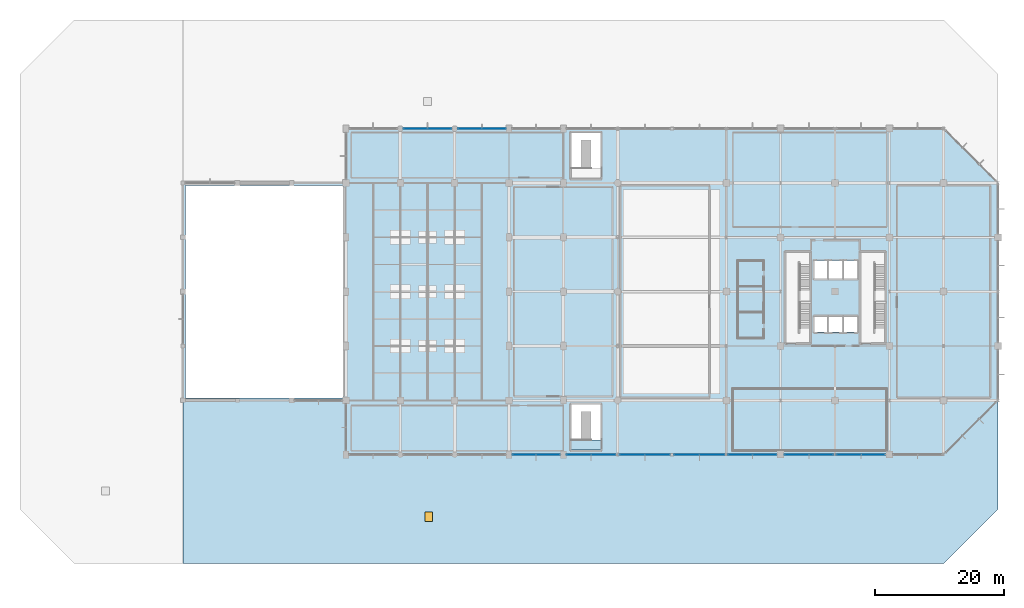
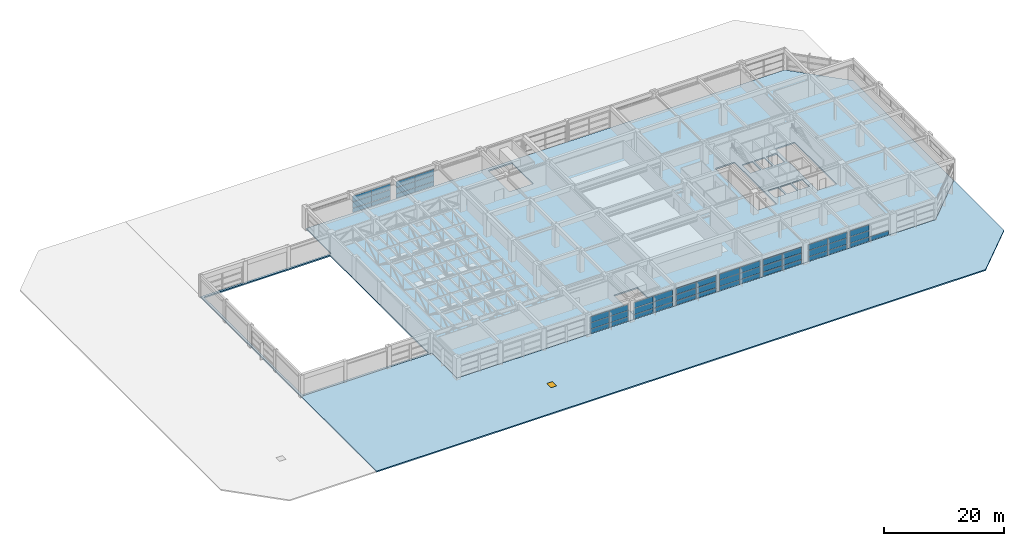
# One storey, part 37 of 47: 52 plates, 3 slabs, 1 door, 1 opening, 9 elements without a shape of their own.
"""IFC4 building model written with IfcOpenShell, lengths in metres."""

from ifc_helpers import new_model, si_unit, direction, frame, origin, origin_2d, place, context, subcontext, project, spatial, polyline, rectangle, outline, extrude, material, layer, layer_set, type_object, element, fill, aggregate, save


model = new_model("IFC4")

# Units and contexts
model_context = context("Model", 3, precision=1e-05, world=origin(), true_north=direction((0.0, 1.0)))
body_context = subcontext(model_context, "Body", "Model", "MODEL_VIEW")
ifc_project = project(units=[si_unit("LENGTHUNIT", "METRE"), si_unit("AREAUNIT", "SQUARE_METRE"), si_unit("VOLUMEUNIT", "CUBIC_METRE"), si_unit("PLANEANGLEUNIT", "RADIAN"), si_unit("MASSUNIT", "GRAM", prefix="KILO")], contexts=[model_context])

# Site, building, storey
site_placement = place(None, origin())
site = spatial("IfcSite", under=ifc_project, at=site_placement, CompositionType="ELEMENT")
building_placement = place(site_placement, origin())
building = spatial("IfcBuilding", under=site, at=building_placement, Name="Xuanlan Plaza Opera House", CompositionType="ELEMENT")
storey_placement = place(building_placement, frame((0.0, 0.0, 23.39990234375)))
storey = spatial("IfcBuildingStorey", under=building, at=storey_placement, Name="L05", CompositionType="ELEMENT", Elevation=23.39990234375)

# Curtain wall, plates
ifc_material_1 = material(Name="Anodised Aluminium 6063-T6 and Low-E Glass", Category="aluminium")
curtain_wall_type_1 = type_object("IfcCurtainWallType", Name="ENV-CW-CW-05", PredefinedType="USERDEFINED", material=ifc_material_1)
curtain_wall_1_placement = place(storey_placement, origin())
curtain_wall_1 = element("IfcCurtainWall", 1, at=curtain_wall_1_placement, inside=storey, type_object=curtain_wall_type_1, Name="Acoustic Glazed Wall L05-008", ObjectType="ACOUSTIC GLAZED WALL", PredefinedType="USERDEFINED")
ifc_material_2 = material(Name="Laminated Acoustic Double Glazing", Category="glass")
ifc_layer_1 = layer(ifc_material_2, 0.028076171875)
ifc_layer_set_1 = layer_set([ifc_layer_1], Name="Laminated Acoustic Double Glazing")
plate_type_1 = type_object("IfcPlateType", Name="ENV-CWP-01", PredefinedType="CURTAIN_PANEL", material=ifc_layer_set_1)
plate_1_placement = place(storey_placement, frame((94.757568359375, 33.60009765625, 0.0751953125), z_axis=(0.0, 0.0, 1.0), x_axis=(1.0, 0.0, 0.0)))
plate_1 = element("IfcPlate", 2, at=plate_1_placement, type_object=plate_type_1, Name="CW-05 panel 1.1", PredefinedType="CURTAIN_PANEL", context=body_context, shape_type="SweptSolid", body=[
    extrude(rectangle(XDim=3.594970703125, YDim=0.028076171875, at=origin_2d()), origin(), (0.0, 0.0, 1.0), 0.83740234375),
])
plate_2_placement = place(storey_placement, frame((94.757568359375, 33.60009765625, 0.987548828125), z_axis=(0.0, 0.0, 1.0), x_axis=(1.0, 0.0, 0.0)))
plate_2 = element("IfcPlate", 3, at=plate_2_placement, type_object=plate_type_1, Name="CW-05 panel 1.2", PredefinedType="CURTAIN_PANEL", context=body_context, shape_type="SweptSolid", body=[
    extrude(rectangle(XDim=3.594970703125, YDim=0.028076171875, at=origin_2d()), origin(), (0.0, 0.0, 1.0), 1.22509765625),
])
plate_3_placement = place(storey_placement, frame((94.757568359375, 33.60009765625, 2.28759765625), z_axis=(0.0, 0.0, 1.0), x_axis=(1.0, 0.0, 0.0)))
plate_3 = element("IfcPlate", 4, at=plate_3_placement, type_object=plate_type_1, Name="CW-05 panel 1.3", PredefinedType="CURTAIN_PANEL", context=body_context, shape_type="SweptSolid", body=[
    extrude(rectangle(XDim=3.594970703125, YDim=0.028076171875, at=origin_2d()), origin(), (0.0, 0.0, 1.0), 1.177490234375),
])
plate_4_placement = place(storey_placement, frame((98.4423828125, 33.60009765625, 0.0751953125), z_axis=(0.0, 0.0, 1.0), x_axis=(1.0, 0.0, 0.0)))
plate_4 = element("IfcPlate", 5, at=plate_4_placement, type_object=plate_type_1, Name="CW-05 panel 2.1", PredefinedType="CURTAIN_PANEL", context=body_context, shape_type="SweptSolid", body=[
    extrude(rectangle(XDim=3.594970703125, YDim=0.028076171875, at=origin_2d()), origin(), (0.0, 0.0, 1.0), 0.83740234375),
])
plate_5_placement = place(storey_placement, frame((98.4423828125, 33.60009765625, 0.987548828125), z_axis=(0.0, 0.0, 1.0), x_axis=(1.0, 0.0, 0.0)))
plate_5 = element("IfcPlate", 6, at=plate_5_placement, type_object=plate_type_1, Name="CW-05 panel 2.2", PredefinedType="CURTAIN_PANEL", context=body_context, shape_type="SweptSolid", body=[
    extrude(rectangle(XDim=3.594970703125, YDim=0.028076171875, at=origin_2d()), origin(), (0.0, 0.0, 1.0), 1.22509765625),
])
plate_6_placement = place(storey_placement, frame((98.4423828125, 33.60009765625, 2.28759765625), z_axis=(0.0, 0.0, 1.0), x_axis=(1.0, 0.0, 0.0)))
plate_6 = element("IfcPlate", 7, at=plate_6_placement, type_object=plate_type_1, Name="CW-05 panel 2.3", PredefinedType="CURTAIN_PANEL", context=body_context, shape_type="SweptSolid", body=[
    extrude(rectangle(XDim=3.594970703125, YDim=0.028076171875, at=origin_2d()), origin(), (0.0, 0.0, 1.0), 1.177490234375),
])
aggregate(curtain_wall_1, [plate_1, plate_2, plate_3, plate_4, plate_5, plate_6])

curtain_wall_type_2 = type_object("IfcCurtainWallType", Name="ENV-CW-CW-04", PredefinedType="USERDEFINED", material=ifc_material_1)
curtain_wall_2_placement = place(storey_placement, origin())
curtain_wall_2 = element("IfcCurtainWall", 8, at=curtain_wall_2_placement, inside=storey, type_object=curtain_wall_type_2, Name="Unitised Curtain Wall L05-013", ObjectType="UNITISED CURTAIN WALL", PredefinedType="USERDEFINED")
plate_7_placement = place(storey_placement, frame((136.89501953125, 33.60009765625, 0.0751953125), z_axis=(0.0, 0.0, 1.0), x_axis=(1.0, 0.0, 0.0)))
plate_7 = element("IfcPlate", 9, at=plate_7_placement, type_object=plate_type_1, Name="CW-04 panel 1.1", PredefinedType="CURTAIN_PANEL", context=body_context, shape_type="SweptSolid", body=[
    extrude(rectangle(XDim=3.669921875, YDim=0.028076171875, at=origin_2d()), origin(), (0.0, 0.0, 1.0), 0.83740234375),
])
plate_8_placement = place(storey_placement, frame((136.89501953125, 33.60009765625, 0.987548828125), z_axis=(0.0, 0.0, 1.0), x_axis=(1.0, 0.0, 0.0)))
plate_8 = element("IfcPlate", 10, at=plate_8_placement, type_object=plate_type_1, Name="CW-04 panel 1.2", PredefinedType="CURTAIN_PANEL", context=body_context, shape_type="SweptSolid", body=[
    extrude(rectangle(XDim=3.669921875, YDim=0.028076171875, at=origin_2d()), origin(), (0.0, 0.0, 1.0), 1.22509765625),
])
plate_9_placement = place(storey_placement, frame((136.89501953125, 33.60009765625, 2.28759765625), z_axis=(0.0, 0.0, 1.0), x_axis=(1.0, 0.0, 0.0)))
plate_9 = element("IfcPlate", 11, at=plate_9_placement, type_object=plate_type_1, Name="CW-04 panel 1.3", PredefinedType="CURTAIN_PANEL", context=body_context, shape_type="SweptSolid", body=[
    extrude(rectangle(XDim=3.669921875, YDim=0.028076171875, at=origin_2d()), origin(), (0.0, 0.0, 1.0), 1.177490234375),
])
plate_10_placement = place(storey_placement, frame((140.655029296875, 33.60009765625, 0.0751953125), z_axis=(0.0, 0.0, 1.0), x_axis=(1.0, 0.0, 0.0)))
plate_10 = element("IfcPlate", 12, at=plate_10_placement, type_object=plate_type_1, Name="CW-04 panel 2.1", PredefinedType="CURTAIN_PANEL", context=body_context, shape_type="SweptSolid", body=[
    extrude(rectangle(XDim=3.669921875, YDim=0.028076171875, at=origin_2d()), origin(), (0.0, 0.0, 1.0), 0.83740234375),
])
plate_11_placement = place(storey_placement, frame((140.655029296875, 33.60009765625, 0.987548828125), z_axis=(0.0, 0.0, 1.0), x_axis=(1.0, 0.0, 0.0)))
plate_11 = element("IfcPlate", 13, at=plate_11_placement, type_object=plate_type_1, Name="CW-04 panel 2.2", PredefinedType="CURTAIN_PANEL", context=body_context, shape_type="SweptSolid", body=[
    extrude(rectangle(XDim=3.669921875, YDim=0.028076171875, at=origin_2d()), origin(), (0.0, 0.0, 1.0), 1.22509765625),
])
plate_12_placement = place(storey_placement, frame((140.655029296875, 33.60009765625, 2.28759765625), z_axis=(0.0, 0.0, 1.0), x_axis=(1.0, 0.0, 0.0)))
plate_12 = element("IfcPlate", 14, at=plate_12_placement, type_object=plate_type_1, Name="CW-04 panel 2.3", PredefinedType="CURTAIN_PANEL", context=body_context, shape_type="SweptSolid", body=[
    extrude(rectangle(XDim=3.669921875, YDim=0.028076171875, at=origin_2d()), origin(), (0.0, 0.0, 1.0), 1.177490234375),
])
aggregate(curtain_wall_2, [plate_7, plate_8, plate_9, plate_10, plate_11, plate_12])

curtain_wall_3_placement = place(storey_placement, origin())
curtain_wall_3 = element("IfcCurtainWall", 15, at=curtain_wall_3_placement, inside=storey, type_object=curtain_wall_type_1, Name="Acoustic Glazed Wall L05-010", ObjectType="ACOUSTIC GLAZED WALL", PredefinedType="USERDEFINED")
ifc_layer_2 = layer(ifc_material_2, 0.031982421875)
ifc_layer_set_2 = layer_set([ifc_layer_2], Name="Laminated Acoustic Double Glazing")
plate_type_2 = type_object("IfcPlateType", Name="ENV-CWP-02", PredefinedType="CURTAIN_PANEL", material=ifc_layer_set_2)
plate_13_placement = place(storey_placement, frame((111.45458984375, 33.60009765625, 0.0703125), z_axis=(0.0, 0.0, 1.0), x_axis=(1.0, 0.0, 0.0)))
plate_13 = element("IfcPlate", 16, at=plate_13_placement, type_object=plate_type_2, Name="CW-05 panel 1.1", PredefinedType="CURTAIN_PANEL", context=body_context, shape_type="SweptSolid", body=[
    extrude(rectangle(XDim=3.821044921875, YDim=0.031982421875, at=origin_2d()), origin(), (0.0, 0.0, 1.0), 0.844970703125),
])
plate_14_placement = place(storey_placement, frame((111.45458984375, 33.60009765625, 0.985107421875), z_axis=(0.0, 0.0, 1.0), x_axis=(1.0, 0.0, 0.0)))
plate_14 = element("IfcPlate", 17, at=plate_14_placement, type_object=plate_type_2, Name="CW-05 panel 1.2", PredefinedType="CURTAIN_PANEL", context=body_context, shape_type="SweptSolid", body=[
    extrude(rectangle(XDim=3.821044921875, YDim=0.031982421875, at=origin_2d()), origin(), (0.0, 0.0, 1.0), 1.22998046875),
])
plate_15_placement = place(storey_placement, frame((111.45458984375, 33.60009765625, 2.28515625), z_axis=(0.0, 0.0, 1.0), x_axis=(1.0, 0.0, 0.0)))
plate_15 = element("IfcPlate", 18, at=plate_15_placement, type_object=plate_type_2, Name="CW-05 panel 1.3", PredefinedType="CURTAIN_PANEL", context=body_context, shape_type="SweptSolid", body=[
    extrude(rectangle(XDim=3.821044921875, YDim=0.031982421875, at=origin_2d()), origin(), (0.0, 0.0, 1.0), 1.18505859375),
])
plate_16_placement = place(storey_placement, frame((115.345458984375, 33.60009765625, 0.0703125), z_axis=(0.0, 0.0, 1.0), x_axis=(1.0, 0.0, 0.0)))
plate_16 = element("IfcPlate", 19, at=plate_16_placement, type_object=plate_type_2, Name="CW-05 panel 2.1", PredefinedType="CURTAIN_PANEL", context=body_context, shape_type="SweptSolid", body=[
    extrude(rectangle(XDim=3.821044921875, YDim=0.031982421875, at=origin_2d()), origin(), (0.0, 0.0, 1.0), 0.844970703125),
])
plate_17_placement = place(storey_placement, frame((115.345458984375, 33.60009765625, 0.985107421875), z_axis=(0.0, 0.0, 1.0), x_axis=(1.0, 0.0, 0.0)))
plate_17 = element("IfcPlate", 20, at=plate_17_placement, type_object=plate_type_2, Name="CW-05 panel 2.2", PredefinedType="CURTAIN_PANEL", context=body_context, shape_type="SweptSolid", body=[
    extrude(rectangle(XDim=3.821044921875, YDim=0.031982421875, at=origin_2d()), origin(), (0.0, 0.0, 1.0), 1.22998046875),
])
plate_18_placement = place(storey_placement, frame((115.345458984375, 33.60009765625, 2.28515625), z_axis=(0.0, 0.0, 1.0), x_axis=(1.0, 0.0, 0.0)))
plate_18 = element("IfcPlate", 21, at=plate_18_placement, type_object=plate_type_2, Name="CW-05 panel 2.3", PredefinedType="CURTAIN_PANEL", context=body_context, shape_type="SweptSolid", body=[
    extrude(rectangle(XDim=3.821044921875, YDim=0.031982421875, at=origin_2d()), origin(), (0.0, 0.0, 1.0), 1.18505859375),
])
aggregate(curtain_wall_3, [plate_13, plate_14, plate_15, plate_16, plate_17, plate_18])

curtain_wall_4_placement = place(storey_placement, origin())
curtain_wall_4 = element("IfcCurtainWall", 22, at=curtain_wall_4_placement, inside=storey, type_object=curtain_wall_type_1, Name="Acoustic Glazed Wall L05-030", ObjectType="ACOUSTIC GLAZED WALL", PredefinedType="USERDEFINED")
plate_19_placement = place(storey_placement, frame((90.047607421875, 84.0, 0.0703125), z_axis=(0.0, 0.0, 1.0), x_axis=(-1.0, 0.0, 0.0)))
plate_19 = element("IfcPlate", 23, at=plate_19_placement, type_object=plate_type_2, Name="CW-05 panel 1.1", PredefinedType="CURTAIN_PANEL", context=body_context, shape_type="SweptSolid", body=[
    extrude(rectangle(XDim=3.625, YDim=0.031982421875, at=origin_2d()), origin(), (0.0, 0.0, 1.0), 0.844970703125),
])
plate_20_placement = place(storey_placement, frame((90.047607421875, 84.0, 0.985107421875), z_axis=(0.0, 0.0, 1.0), x_axis=(-1.0, 0.0, 0.0)))
plate_20 = element("IfcPlate", 24, at=plate_20_placement, type_object=plate_type_2, Name="CW-05 panel 1.2", PredefinedType="CURTAIN_PANEL", context=body_context, shape_type="SweptSolid", body=[
    extrude(rectangle(XDim=3.625, YDim=0.031982421875, at=origin_2d()), origin(), (0.0, 0.0, 1.0), 1.22998046875),
])
plate_21_placement = place(storey_placement, frame((90.047607421875, 84.0, 2.28515625), z_axis=(0.0, 0.0, 1.0), x_axis=(-1.0, 0.0, 0.0)))
plate_21 = element("IfcPlate", 25, at=plate_21_placement, type_object=plate_type_2, Name="CW-05 panel 1.3", PredefinedType="CURTAIN_PANEL", context=body_context, shape_type="SweptSolid", body=[
    extrude(rectangle(XDim=3.625, YDim=0.031982421875, at=origin_2d()), origin(), (0.0, 0.0, 1.0), 1.18505859375),
])
plate_22_placement = place(storey_placement, frame((86.3525390625, 84.0, 0.0703125), z_axis=(0.0, 0.0, 1.0), x_axis=(-1.0, 0.0, 0.0)))
plate_22 = element("IfcPlate", 26, at=plate_22_placement, type_object=plate_type_2, Name="CW-05 panel 2.1", PredefinedType="CURTAIN_PANEL", context=body_context, shape_type="SweptSolid", body=[
    extrude(rectangle(XDim=3.625, YDim=0.031982421875, at=origin_2d()), origin(), (0.0, 0.0, 1.0), 0.844970703125),
])
plate_23_placement = place(storey_placement, frame((86.3525390625, 84.0, 0.985107421875), z_axis=(0.0, 0.0, 1.0), x_axis=(-1.0, 0.0, 0.0)))
plate_23 = element("IfcPlate", 27, at=plate_23_placement, type_object=plate_type_2, Name="CW-05 panel 2.2", PredefinedType="CURTAIN_PANEL", context=body_context, shape_type="SweptSolid", body=[
    extrude(rectangle(XDim=3.625, YDim=0.031982421875, at=origin_2d()), origin(), (0.0, 0.0, 1.0), 1.22998046875),
])
plate_24_placement = place(storey_placement, frame((86.3525390625, 84.0, 2.28515625), z_axis=(0.0, 0.0, 1.0), x_axis=(-1.0, 0.0, 0.0)))
plate_24 = element("IfcPlate", 28, at=plate_24_placement, type_object=plate_type_2, Name="CW-05 panel 2.3", PredefinedType="CURTAIN_PANEL", context=body_context, shape_type="SweptSolid", body=[
    extrude(rectangle(XDim=3.625, YDim=0.031982421875, at=origin_2d()), origin(), (0.0, 0.0, 1.0), 1.18505859375),
])
aggregate(curtain_wall_4, [plate_19, plate_20, plate_21, plate_22, plate_23, plate_24])

curtain_wall_5_placement = place(storey_placement, origin())
curtain_wall_5 = element("IfcCurtainWall", 29, at=curtain_wall_5_placement, inside=storey, type_object=curtain_wall_type_1, Name="Acoustic Glazed Wall L05-012", ObjectType="ACOUSTIC GLAZED WALL", PredefinedType="USERDEFINED")
ifc_layer_3 = layer(ifc_material_2, 0.035888671875)
ifc_layer_set_3 = layer_set([ifc_layer_3], Name="Laminated Acoustic Double Glazing")
plate_type_3 = type_object("IfcPlateType", Name="ENV-CWP-03", PredefinedType="CURTAIN_PANEL", material=ifc_layer_set_3)
plate_25_placement = place(storey_placement, frame((128.142578125, 33.60009765625, 0.065185546875), z_axis=(0.0, 0.0, 1.0), x_axis=(1.0, 0.0, 0.0)))
plate_25 = element("IfcPlate", 30, at=plate_25_placement, type_object=plate_type_3, Name="CW-05 panel 1.1", PredefinedType="CURTAIN_PANEL", context=body_context, shape_type="SweptSolid", body=[
    extrude(rectangle(XDim=3.68505859375, YDim=0.035888671875, at=origin_2d()), origin(), (0.0, 0.0, 1.0), 0.8525390625),
])
plate_26_placement = place(storey_placement, frame((128.142578125, 33.60009765625, 0.982421875), z_axis=(0.0, 0.0, 1.0), x_axis=(1.0, 0.0, 0.0)))
plate_26 = element("IfcPlate", 31, at=plate_26_placement, type_object=plate_type_3, Name="CW-05 panel 1.2", PredefinedType="CURTAIN_PANEL", context=body_context, shape_type="SweptSolid", body=[
    extrude(rectangle(XDim=3.68505859375, YDim=0.035888671875, at=origin_2d()), origin(), (0.0, 0.0, 1.0), 1.235107421875),
])
plate_27_placement = place(storey_placement, frame((128.142578125, 33.60009765625, 2.28271484375), z_axis=(0.0, 0.0, 1.0), x_axis=(1.0, 0.0, 0.0)))
plate_27 = element("IfcPlate", 32, at=plate_27_placement, type_object=plate_type_3, Name="CW-05 panel 1.3", PredefinedType="CURTAIN_PANEL", context=body_context, shape_type="SweptSolid", body=[
    extrude(rectangle(XDim=3.68505859375, YDim=0.035888671875, at=origin_2d()), origin(), (0.0, 0.0, 1.0), 1.1923828125),
])
plate_28_placement = place(storey_placement, frame((131.907470703125, 33.60009765625, 0.065185546875), z_axis=(0.0, 0.0, 1.0), x_axis=(1.0, 0.0, 0.0)))
plate_28 = element("IfcPlate", 33, at=plate_28_placement, type_object=plate_type_3, Name="CW-05 panel 2.1", PredefinedType="CURTAIN_PANEL", context=body_context, shape_type="SweptSolid", body=[
    extrude(rectangle(XDim=3.68505859375, YDim=0.035888671875, at=origin_2d()), origin(), (0.0, 0.0, 1.0), 0.8525390625),
])
plate_29_placement = place(storey_placement, frame((131.907470703125, 33.60009765625, 0.982421875), z_axis=(0.0, 0.0, 1.0), x_axis=(1.0, 0.0, 0.0)))
plate_29 = element("IfcPlate", 34, at=plate_29_placement, type_object=plate_type_3, Name="CW-05 panel 2.2", PredefinedType="CURTAIN_PANEL", context=body_context, shape_type="SweptSolid", body=[
    extrude(rectangle(XDim=3.68505859375, YDim=0.035888671875, at=origin_2d()), origin(), (0.0, 0.0, 1.0), 1.235107421875),
])
plate_30_placement = place(storey_placement, frame((131.907470703125, 33.60009765625, 2.28271484375), z_axis=(0.0, 0.0, 1.0), x_axis=(1.0, 0.0, 0.0)))
plate_30 = element("IfcPlate", 35, at=plate_30_placement, type_object=plate_type_3, Name="CW-05 panel 2.3", PredefinedType="CURTAIN_PANEL", context=body_context, shape_type="SweptSolid", body=[
    extrude(rectangle(XDim=3.68505859375, YDim=0.035888671875, at=origin_2d()), origin(), (0.0, 0.0, 1.0), 1.1923828125),
])
aggregate(curtain_wall_5, [plate_25, plate_26, plate_27, plate_28, plate_29, plate_30])

curtain_wall_type_3 = type_object("IfcCurtainWallType", Name="ENV-CW-CW-06", PredefinedType="USERDEFINED", material=ifc_material_1)
curtain_wall_6_placement = place(storey_placement, origin())
curtain_wall_6 = element("IfcCurtainWall", 36, at=curtain_wall_6_placement, inside=storey, type_object=curtain_wall_type_3, Name="Acoustic Glazed Wall L05-009", ObjectType="ACOUSTIC GLAZED WALL", PredefinedType="USERDEFINED")
ifc_layer_4 = layer(ifc_material_2, 0.0400390625)
ifc_layer_set_4 = layer_set([ifc_layer_4], Name="Laminated Acoustic Double Glazing")
plate_type_4 = type_object("IfcPlateType", Name="ENV-CWP-04", PredefinedType="CURTAIN_PANEL", material=ifc_layer_set_4)
plate_31_placement = place(storey_placement, frame((103.2001953125, 33.60009765625, 0.090087890625), z_axis=(0.0, 0.0, 1.0), x_axis=(1.0, 0.0, 0.0)))
plate_31 = element("IfcPlate", 37, at=plate_31_placement, type_object=plate_type_4, Name="CW-06 panel 1.1", PredefinedType="CURTAIN_PANEL", context=body_context, shape_type="SweptSolid", body=[
    extrude(rectangle(XDim=3.73046875, YDim=0.0400390625, at=origin_2d()), origin(), (0.0, 0.0, 1.0), 0.81494140625),
])
plate_32_placement = place(storey_placement, frame((103.2001953125, 33.60009765625, 0.9951171875), z_axis=(0.0, 0.0, 1.0), x_axis=(1.0, 0.0, 0.0)))
plate_32 = element("IfcPlate", 38, at=plate_32_placement, type_object=plate_type_4, Name="CW-06 panel 1.2", PredefinedType="CURTAIN_PANEL", context=body_context, shape_type="SweptSolid", body=[
    extrude(rectangle(XDim=3.73046875, YDim=0.0400390625, at=origin_2d()), origin(), (0.0, 0.0, 1.0), 1.2099609375),
])
plate_33_placement = place(storey_placement, frame((103.2001953125, 33.60009765625, 2.294921875), z_axis=(0.0, 0.0, 1.0), x_axis=(1.0, 0.0, 0.0)))
plate_33 = element("IfcPlate", 39, at=plate_33_placement, type_object=plate_type_4, Name="CW-06 panel 1.3", PredefinedType="CURTAIN_PANEL", context=body_context, shape_type="SweptSolid", body=[
    extrude(rectangle(XDim=3.73046875, YDim=0.0400390625, at=origin_2d()), origin(), (0.0, 0.0, 1.0), 1.155029296875),
])
plate_34_placement = place(storey_placement, frame((106.995849609375, 33.60009765625, 0.090087890625), z_axis=(0.0, 0.0, 1.0), x_axis=(1.0, 0.0, 0.0)))
plate_34 = element("IfcPlate", 40, at=plate_34_placement, type_object=plate_type_4, Name="CW-06 panel 2.1", PredefinedType="CURTAIN_PANEL", context=body_context, shape_type="SweptSolid", body=[
    extrude(rectangle(XDim=3.73046875, YDim=0.0400390625, at=origin_2d()), origin(), (0.0, 0.0, 1.0), 0.81494140625),
])
plate_35_placement = place(storey_placement, frame((106.995849609375, 33.60009765625, 0.9951171875), z_axis=(0.0, 0.0, 1.0), x_axis=(1.0, 0.0, 0.0)))
plate_35 = element("IfcPlate", 41, at=plate_35_placement, type_object=plate_type_4, Name="CW-06 panel 2.2", PredefinedType="CURTAIN_PANEL", context=body_context, shape_type="SweptSolid", body=[
    extrude(rectangle(XDim=3.73046875, YDim=0.0400390625, at=origin_2d()), origin(), (0.0, 0.0, 1.0), 1.2099609375),
])
plate_36_placement = place(storey_placement, frame((106.995849609375, 33.60009765625, 2.294921875), z_axis=(0.0, 0.0, 1.0), x_axis=(1.0, 0.0, 0.0)))
plate_36 = element("IfcPlate", 42, at=plate_36_placement, type_object=plate_type_4, Name="CW-06 panel 2.3", PredefinedType="CURTAIN_PANEL", context=body_context, shape_type="SweptSolid", body=[
    extrude(rectangle(XDim=3.73046875, YDim=0.0400390625, at=origin_2d()), origin(), (0.0, 0.0, 1.0), 1.155029296875),
])
aggregate(curtain_wall_6, [plate_31, plate_32, plate_33, plate_34, plate_35, plate_36])

curtain_wall_type_4 = type_object("IfcCurtainWallType", Name="ENV-CW-CW-01", PredefinedType="USERDEFINED", material=ifc_material_1)
curtain_wall_7_placement = place(storey_placement, origin())
curtain_wall_7 = element("IfcCurtainWall", 43, at=curtain_wall_7_placement, inside=storey, type_object=curtain_wall_type_4, Name="Unitised Curtain Wall L05-014", ObjectType="UNITISED CURTAIN WALL", PredefinedType="USERDEFINED")
plate_37_placement = place(storey_placement, frame((144.938720703125, 33.60009765625, 0.090087890625), z_axis=(0.0, 0.0, 1.0), x_axis=(1.0, 0.0, 0.0)))
plate_37 = element("IfcPlate", 44, at=plate_37_placement, type_object=plate_type_4, Name="CW-01 panel 1.1", PredefinedType="CURTAIN_PANEL", context=body_context, shape_type="SweptSolid", body=[
    extrude(rectangle(XDim=3.70751953125, YDim=0.0400390625, at=origin_2d()), origin(), (0.0, 0.0, 1.0), 0.81494140625),
])
plate_38_placement = place(storey_placement, frame((144.938720703125, 33.60009765625, 0.9951171875), z_axis=(0.0, 0.0, 1.0), x_axis=(1.0, 0.0, 0.0)))
plate_38 = element("IfcPlate", 45, at=plate_38_placement, type_object=plate_type_4, Name="CW-01 panel 1.2", PredefinedType="CURTAIN_PANEL", context=body_context, shape_type="SweptSolid", body=[
    extrude(rectangle(XDim=3.70751953125, YDim=0.0400390625, at=origin_2d()), origin(), (0.0, 0.0, 1.0), 1.2099609375),
])
plate_39_placement = place(storey_placement, frame((144.938720703125, 33.60009765625, 2.294921875), z_axis=(0.0, 0.0, 1.0), x_axis=(1.0, 0.0, 0.0)))
plate_39 = element("IfcPlate", 46, at=plate_39_placement, type_object=plate_type_4, Name="CW-01 panel 1.3", PredefinedType="CURTAIN_PANEL", context=body_context, shape_type="SweptSolid", body=[
    extrude(rectangle(XDim=3.70751953125, YDim=0.0400390625, at=origin_2d()), origin(), (0.0, 0.0, 1.0), 1.155029296875),
])
plate_40_placement = place(storey_placement, frame((148.711181640625, 33.60009765625, 0.090087890625), z_axis=(0.0, 0.0, 1.0), x_axis=(1.0, 0.0, 0.0)))
plate_40 = element("IfcPlate", 47, at=plate_40_placement, type_object=plate_type_4, Name="CW-01 panel 2.1", PredefinedType="CURTAIN_PANEL", context=body_context, shape_type="SweptSolid", body=[
    extrude(rectangle(XDim=3.70751953125, YDim=0.0400390625, at=origin_2d()), origin(), (0.0, 0.0, 1.0), 0.81494140625),
])
aggregate(curtain_wall_7, [plate_37, plate_38, plate_39, plate_40])

curtain_wall_8_placement = place(storey_placement, origin())
curtain_wall_8 = element("IfcCurtainWall", 48, at=curtain_wall_8_placement, inside=storey, type_object=curtain_wall_type_3, Name="Acoustic Glazed Wall L05-011", ObjectType="ACOUSTIC GLAZED WALL", PredefinedType="USERDEFINED")
ifc_layer_5 = layer(ifc_material_2, 0.0439453125)
ifc_layer_set_5 = layer_set([ifc_layer_5], Name="Laminated Acoustic Double Glazing")
plate_type_5 = type_object("IfcPlateType", Name="ENV-CWP-05", PredefinedType="CURTAIN_PANEL", material=ifc_layer_set_5)
plate_41_placement = place(storey_placement, frame((119.869140625, 33.60009765625, 0.080078125), z_axis=(0.0, 0.0, 1.0), x_axis=(1.0, 0.0, 0.0)))
plate_41 = element("IfcPlate", 49, at=plate_41_placement, type_object=plate_type_5, Name="CW-06 panel 1.1", PredefinedType="CURTAIN_PANEL", context=body_context, shape_type="SweptSolid", body=[
    extrude(rectangle(XDim=3.840576171875, YDim=0.0439453125, at=origin_2d()), origin(), (0.0, 0.0, 1.0), 0.830078125),
])
plate_42_placement = place(storey_placement, frame((119.869140625, 33.60009765625, 0.990234375), z_axis=(0.0, 0.0, 1.0), x_axis=(1.0, 0.0, 0.0)))
plate_42 = element("IfcPlate", 50, at=plate_42_placement, type_object=plate_type_5, Name="CW-06 panel 1.2", PredefinedType="CURTAIN_PANEL", context=body_context, shape_type="SweptSolid", body=[
    extrude(rectangle(XDim=3.840576171875, YDim=0.0439453125, at=origin_2d()), origin(), (0.0, 0.0, 1.0), 1.219970703125),
])
plate_43_placement = place(storey_placement, frame((119.869140625, 33.60009765625, 2.2900390625), z_axis=(0.0, 0.0, 1.0), x_axis=(1.0, 0.0, 0.0)))
plate_43 = element("IfcPlate", 51, at=plate_43_placement, type_object=plate_type_5, Name="CW-06 panel 1.3", PredefinedType="CURTAIN_PANEL", context=body_context, shape_type="SweptSolid", body=[
    extrude(rectangle(XDim=3.840576171875, YDim=0.0439453125, at=origin_2d()), origin(), (0.0, 0.0, 1.0), 1.169921875),
])
plate_44_placement = place(storey_placement, frame((123.78466796875, 33.60009765625, 0.080078125), z_axis=(0.0, 0.0, 1.0), x_axis=(1.0, 0.0, 0.0)))
plate_44 = element("IfcPlate", 52, at=plate_44_placement, type_object=plate_type_5, Name="CW-06 panel 2.1", PredefinedType="CURTAIN_PANEL", context=body_context, shape_type="SweptSolid", body=[
    extrude(rectangle(XDim=3.840576171875, YDim=0.0439453125, at=origin_2d()), origin(), (0.0, 0.0, 1.0), 0.830078125),
])
plate_45_placement = place(storey_placement, frame((123.78466796875, 33.60009765625, 0.990234375), z_axis=(0.0, 0.0, 1.0), x_axis=(1.0, 0.0, 0.0)))
plate_45 = element("IfcPlate", 53, at=plate_45_placement, type_object=plate_type_5, Name="CW-06 panel 2.2", PredefinedType="CURTAIN_PANEL", context=body_context, shape_type="SweptSolid", body=[
    extrude(rectangle(XDim=3.840576171875, YDim=0.0439453125, at=origin_2d()), origin(), (0.0, 0.0, 1.0), 1.219970703125),
])
plate_46_placement = place(storey_placement, frame((123.78466796875, 33.60009765625, 2.2900390625), z_axis=(0.0, 0.0, 1.0), x_axis=(1.0, 0.0, 0.0)))
plate_46 = element("IfcPlate", 54, at=plate_46_placement, type_object=plate_type_5, Name="CW-06 panel 2.3", PredefinedType="CURTAIN_PANEL", context=body_context, shape_type="SweptSolid", body=[
    extrude(rectangle(XDim=3.840576171875, YDim=0.0439453125, at=origin_2d()), origin(), (0.0, 0.0, 1.0), 1.169921875),
])
aggregate(curtain_wall_8, [plate_41, plate_42, plate_43, plate_44, plate_45, plate_46])

curtain_wall_9_placement = place(storey_placement, origin())
curtain_wall_9 = element("IfcCurtainWall", 55, at=curtain_wall_9_placement, inside=storey, type_object=curtain_wall_type_3, Name="Acoustic Glazed Wall L05-031", ObjectType="ACOUSTIC GLAZED WALL", PredefinedType="USERDEFINED")
plate_47_placement = place(storey_placement, frame((81.646240234375, 84.0, 0.080078125), z_axis=(0.0, 0.0, 1.0), x_axis=(-1.0, 0.0, 0.0)))
plate_47 = element("IfcPlate", 56, at=plate_47_placement, type_object=plate_type_5, Name="CW-06 panel 1.1", PredefinedType="CURTAIN_PANEL", context=body_context, shape_type="SweptSolid", body=[
    extrude(rectangle(XDim=3.617431640625, YDim=0.0439453125, at=origin_2d()), origin(), (0.0, 0.0, 1.0), 0.830078125),
])
plate_48_placement = place(storey_placement, frame((81.646240234375, 84.0, 0.990234375), z_axis=(0.0, 0.0, 1.0), x_axis=(-1.0, 0.0, 0.0)))
plate_48 = element("IfcPlate", 57, at=plate_48_placement, type_object=plate_type_5, Name="CW-06 panel 1.2", PredefinedType="CURTAIN_PANEL", context=body_context, shape_type="SweptSolid", body=[
    extrude(rectangle(XDim=3.617431640625, YDim=0.0439453125, at=origin_2d()), origin(), (0.0, 0.0, 1.0), 1.219970703125),
])
plate_49_placement = place(storey_placement, frame((81.646240234375, 84.0, 2.2900390625), z_axis=(0.0, 0.0, 1.0), x_axis=(-1.0, 0.0, 0.0)))
plate_49 = element("IfcPlate", 58, at=plate_49_placement, type_object=plate_type_5, Name="CW-06 panel 1.3", PredefinedType="CURTAIN_PANEL", context=body_context, shape_type="SweptSolid", body=[
    extrude(rectangle(XDim=3.617431640625, YDim=0.0439453125, at=origin_2d()), origin(), (0.0, 0.0, 1.0), 1.169921875),
])
plate_50_placement = place(storey_placement, frame((77.953857421875, 84.0, 0.080078125), z_axis=(0.0, 0.0, 1.0), x_axis=(-1.0, 0.0, 0.0)))
plate_50 = element("IfcPlate", 59, at=plate_50_placement, type_object=plate_type_5, Name="CW-06 panel 2.1", PredefinedType="CURTAIN_PANEL", context=body_context, shape_type="SweptSolid", body=[
    extrude(rectangle(XDim=3.617431640625, YDim=0.0439453125, at=origin_2d()), origin(), (0.0, 0.0, 1.0), 0.830078125),
])
plate_51_placement = place(storey_placement, frame((77.953857421875, 84.0, 0.990234375), z_axis=(0.0, 0.0, 1.0), x_axis=(-1.0, 0.0, 0.0)))
plate_51 = element("IfcPlate", 60, at=plate_51_placement, type_object=plate_type_5, Name="CW-06 panel 2.2", PredefinedType="CURTAIN_PANEL", context=body_context, shape_type="SweptSolid", body=[
    extrude(rectangle(XDim=3.617431640625, YDim=0.0439453125, at=origin_2d()), origin(), (0.0, 0.0, 1.0), 1.219970703125),
])
plate_52_placement = place(storey_placement, frame((77.953857421875, 84.0, 2.2900390625), z_axis=(0.0, 0.0, 1.0), x_axis=(-1.0, 0.0, 0.0)))
plate_52 = element("IfcPlate", 61, at=plate_52_placement, type_object=plate_type_5, Name="CW-06 panel 2.3", PredefinedType="CURTAIN_PANEL", context=body_context, shape_type="SweptSolid", body=[
    extrude(rectangle(XDim=3.617431640625, YDim=0.0439453125, at=origin_2d()), origin(), (0.0, 0.0, 1.0), 1.169921875),
])
aggregate(curtain_wall_9, [plate_47, plate_48, plate_49, plate_50, plate_51, plate_52])

# Slab
ifc_material_3 = material(Name="Concrete C40", Category="concrete")
ifc_layer_6 = layer(ifc_material_3, 0.18994140625)
ifc_layer_set_6 = layer_set([ifc_layer_6], Name="Concrete C40")
slab_type_1 = type_object("IfcSlabType", Name="INT-SLB-LND-19", PredefinedType="LANDING", material=ifc_layer_set_6)
slab_1_placement = place(storey_placement, frame((0.0, 0.0, -0.18994140625)))
element("IfcSlab", 62, at=slab_1_placement, inside=storey, type_object=slab_type_1, Name="Feature Stair Top Landing ST-F1 L05", PredefinedType="LANDING", context=body_context, shape_type="SweptSolid", body=[
    extrude(outline(polyline([(102.0, 34.300048828125), (106.60009765625, 34.300048828125), (106.60009765625, 35.905029296875), (102.0, 35.905029296875), (102.0, 34.300048828125)])), origin(), (0.0, 0.0, 1.0), 0.18994140625),
])

# Slab, opening, door
ifc_layer_7 = layer(ifc_material_3, 0.25)
ifc_layer_set_7 = layer_set([ifc_layer_7], Name="Concrete C40")
slab_type_2 = type_object("IfcSlabType", Name="STR-SLB-RF-01", PredefinedType="ROOF", material=ifc_layer_set_7)
slab_2_placement = place(storey_placement, frame((0.0, 0.0, -0.25)))
slab_2 = element("IfcSlab", 63, at=slab_2_placement, inside=storey, type_object=slab_type_2, Name="South Side-Stage Maintenance Roof Slab", PredefinedType="ROOF", context=body_context, shape_type="SweptSolid", body=[
    extrude(outline(polyline([(42.0, 16.800048828125), (159.60009765625, 16.800048828125), (168.0, 25.199951171875), (168.0, 42.0), (159.60009765625, 33.60009765625), (67.199951171875, 33.60009765625), (67.199951171875, 42.0), (42.0, 42.0), (42.0, 16.800048828125)]), holes=[polyline([(79.449951171875, 23.300048828125), (80.550048828125, 23.300048828125), (80.550048828125, 24.699951171875), (79.449951171875, 24.699951171875), (79.449951171875, 23.300048828125)])]), origin(), (0.0, 0.0, 1.0), 0.25),
])
opening_placement = place(slab_2_placement, frame((80.0, 24.0, 0.0)))
opening = element("IfcOpeningElement", 64, at=opening_placement, cuts=slab_2, Name="Opening HT-03", PredefinedType="OPENING", context=body_context, shape_type="SweptSolid", body=[
    extrude(rectangle(XDim=1.10009765625, YDim=1.39990234375, at=origin_2d()), origin(), (0.0, 0.0, 1.0), 0.25),
])
ifc_material_4 = material(Name="Galvanised Steel Q235B", Category="steel")
door_type = type_object("IfcDoorType", Name="ENV-DR-HT-03", OperationType="NOTDEFINED", PredefinedType="TRAPDOOR", material=ifc_material_4)
door_placement = place(opening_placement, frame((0.0, 0.0, 0.199951171875)))
door = element("IfcDoor", 65, at=door_placement, inside=storey, type_object=door_type, Name="Roof Maintenance Access Hatch HT-UPOD-S01", OperationType="SINGLE_SWING_LEFT", OverallHeight=1.39990234375, OverallWidth=1.10009765625, PredefinedType="TRAPDOOR", context=body_context, shape_type="SweptSolid", body=[
    extrude(rectangle(XDim=1.10009765625, YDim=1.39990234375, at=origin_2d()), origin(), (0.0, 0.0, 1.0), 0.050048828125),
])
fill(opening, door)

# Slab
ifc_layer_8 = layer(ifc_material_3, 0.27001953125)
ifc_layer_set_8 = layer_set([ifc_layer_8], Name="Concrete C40")
slab_type_3 = type_object("IfcSlabType", Name="STR-SLB-SL-05", PredefinedType="FLOOR", material=ifc_layer_set_8)
slab_3_placement = place(storey_placement, frame((0.0, 0.0, -0.260009765625)))
element("IfcSlab", 66, at=slab_3_placement, inside=storey, type_object=slab_type_3, Name="Storey L05 Structural Floor Slab", PredefinedType="FLOOR", context=body_context, shape_type="SweptSolid", body=[
    extrude(outline(polyline([(42.0, 42.0), (67.199951171875, 42.0), (67.199951171875, 33.60009765625), (159.60009765625, 33.60009765625), (168.0, 42.0), (168.0, 75.60009765625), (159.60009765625, 84.0), (67.199951171875, 84.0), (67.199951171875, 75.60009765625), (42.0, 75.60009765625), (42.0, 42.0)]), holes=[polyline([(135.199951171875, 50.89990234375), (138.89990234375, 50.89990234375), (138.89990234375, 64.89990234375), (135.199951171875, 64.89990234375), (135.199951171875, 50.89990234375)]), polyline([(146.800048828125, 50.89990234375), (150.5, 50.89990234375), (150.5, 64.89990234375), (146.800048828125, 64.89990234375), (146.800048828125, 50.89990234375)]), polyline([(102.0, 34.300048828125), (106.60009765625, 34.300048828125), (106.60009765625, 41.3798828125), (102.0, 41.3798828125), (102.0, 34.300048828125)]), polyline([(102.0, 76.300048828125), (106.60009765625, 76.300048828125), (106.60009765625, 83.3798828125), (102.0, 83.3798828125), (102.0, 76.300048828125)]), polyline([(139.60009765625, 60.800048828125), (141.60009765625, 60.800048828125), (141.60009765625, 63.60009765625), (139.60009765625, 63.60009765625), (139.60009765625, 60.800048828125)]), polyline([(141.89990234375, 60.800048828125), (143.89990234375, 60.800048828125), (143.89990234375, 63.60009765625), (141.89990234375, 63.60009765625), (141.89990234375, 60.800048828125)]), polyline([(144.199951171875, 60.800048828125), (146.199951171875, 60.800048828125), (146.199951171875, 63.60009765625), (144.199951171875, 63.60009765625), (144.199951171875, 60.800048828125)]), polyline([(139.60009765625, 52.550048828125), (141.60009765625, 52.550048828125), (141.60009765625, 54.949951171875), (139.60009765625, 54.949951171875), (139.60009765625, 52.550048828125)]), polyline([(141.89990234375, 52.550048828125), (143.89990234375, 52.550048828125), (143.89990234375, 54.949951171875), (141.89990234375, 54.949951171875), (141.89990234375, 52.550048828125)]), polyline([(144.199951171875, 52.550048828125), (146.199951171875, 52.550048828125), (146.199951171875, 54.949951171875), (144.199951171875, 54.949951171875), (144.199951171875, 52.550048828125)]), polyline([(42.39990234375, 42.39990234375), (66.800048828125, 42.39990234375), (66.800048828125, 75.199951171875), (42.39990234375, 75.199951171875), (42.39990234375, 42.39990234375)])]), origin(), (0.0, 0.0, 1.0), 0.260009765625),
])

save(model, "model.ifc")
